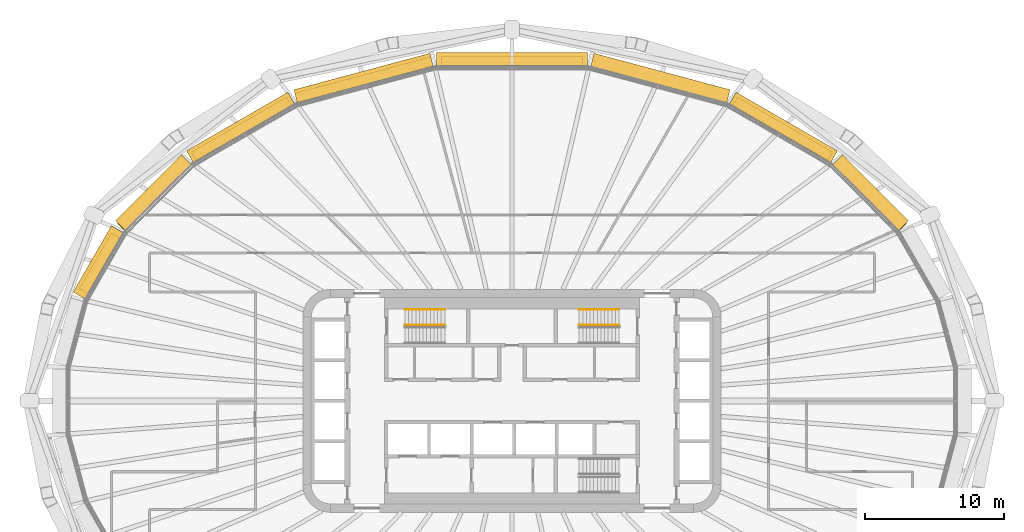
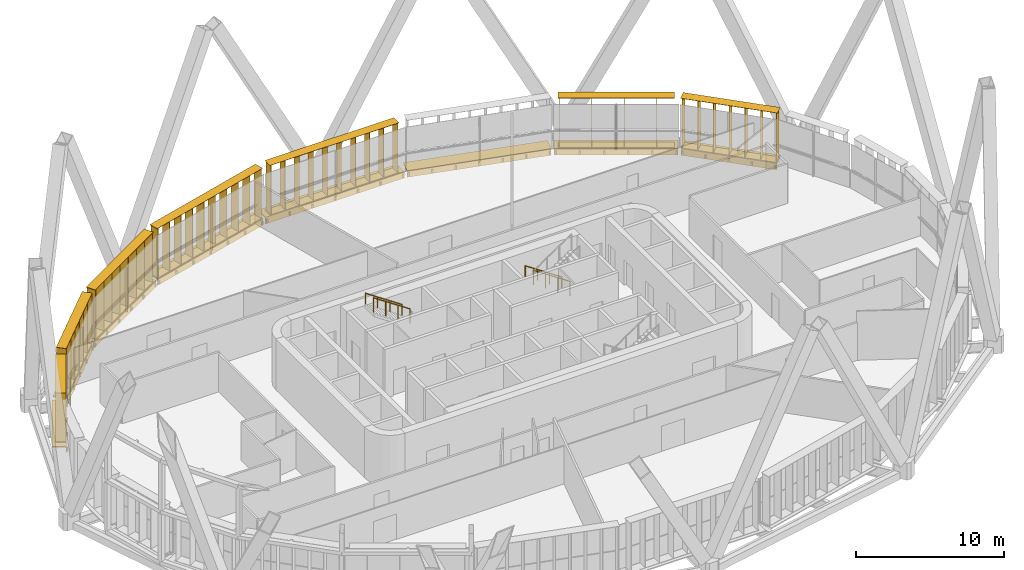
# One storey, part 24 of 25: 15 shading devices, 4 railings.
"""IFC4 building model written with IfcOpenShell, lengths in metres."""

from ifc_helpers import new_model, si_unit, direction, frame, origin, origin_2d, place, context, subcontext, project, spatial, rectangle, circle, extrude, material, type_object, element, save


model = new_model("IFC4")

# Units and contexts
model_context = context("Model", 3, precision=1e-05, world=origin(), true_north=direction((0.0, 1.0)))
body_context = subcontext(model_context, "Body", "Model", "MODEL_VIEW")
ifc_project = project(units=[si_unit("LENGTHUNIT", "METRE"), si_unit("AREAUNIT", "SQUARE_METRE"), si_unit("VOLUMEUNIT", "CUBIC_METRE"), si_unit("PLANEANGLEUNIT", "RADIAN"), si_unit("MASSUNIT", "GRAM", prefix="KILO")], contexts=[model_context])

# Site, building, storey
site_placement = place(None, origin())
site = spatial("IfcSite", under=ifc_project, at=site_placement, CompositionType="ELEMENT")
building_placement = place(site_placement, origin())
building = spatial("IfcBuilding", under=site, at=building_placement, Name="Sahrelin Media Tower", CompositionType="ELEMENT")
storey_placement = place(building_placement, frame((0.0, 0.0, 114.60009765625)))
storey = spatial("IfcBuildingStorey", under=building, at=storey_placement, Name="L22", CompositionType="ELEMENT", Elevation=114.60009765625)

# Shading devices
ifc_material_1 = material(Name="Champagne anodised aluminium 6063-T6", Category="aluminium")
shading_device_type_1 = type_object("IfcShadingDeviceType", Name="Fin cassette", PredefinedType="USERDEFINED", material=ifc_material_1)
placement_1 = place(storey_placement, frame((25.34912109375, 14.556884765625, 0.0), z_axis=(0.0, 0.0, 1.0), x_axis=(0.707106781187, -0.707106781187, 0.0)))
element("IfcShadingDevice", 1, at=placement_1, inside=storey, type_object=shading_device_type_1, Name="L22:FIN:L22-03", ObjectType="FIN", PredefinedType="USERDEFINED", context=body_context, shape_type="SweptSolid", body=[
    extrude(rectangle(XDim=6.800048828125, YDim=0.699951171875, at=origin_2d()), frame((0.0, 0.419921875, 0.0)), (0.0, 0.0, 1.0), 0.02001953125),
    extrude(rectangle(XDim=6.800048828125, YDim=0.699951171875, at=origin_2d()), frame((0.0, 0.419921875, 4.10009765625)), (0.0, 0.0, 1.0), 0.02001953125),
    extrude(rectangle(XDim=0.02001953125, YDim=0.699951171875, at=origin_2d()), frame((-3.300048828125, 0.419921875, 0.010009765625), z_axis=(0.0, 0.0, 1.0), x_axis=(1.0, 0.0, 0.0)), (0.0, 0.0, 1.0), 4.10009765625),
    extrude(rectangle(XDim=0.02001953125, YDim=0.699951171875, at=origin_2d()), frame((-2.199951171875, 0.419921875, 0.010009765625), z_axis=(0.0, 0.0, 1.0), x_axis=(1.0, 0.0, 0.0)), (0.0, 0.0, 1.0), 4.10009765625),
    extrude(rectangle(XDim=0.02001953125, YDim=0.699951171875, at=origin_2d()), frame((-1.10009765625, 0.419921875, 0.010009765625), z_axis=(0.0, 0.0, 1.0), x_axis=(1.0, 0.0, 0.0)), (0.0, 0.0, 1.0), 4.10009765625),
    extrude(rectangle(XDim=0.02001953125, YDim=0.699951171875, at=origin_2d()), frame((0.0, 0.419921875, 0.010009765625), z_axis=(0.0, 0.0, 1.0), x_axis=(1.0, 0.0, 0.0)), (0.0, 0.0, 1.0), 4.10009765625),
    extrude(rectangle(XDim=0.02001953125, YDim=0.699951171875, at=origin_2d()), frame((1.10009765625, 0.419921875, 0.010009765625), z_axis=(0.0, 0.0, 1.0), x_axis=(1.0, 0.0, 0.0)), (0.0, 0.0, 1.0), 4.10009765625),
    extrude(rectangle(XDim=0.02001953125, YDim=0.699951171875, at=origin_2d()), frame((2.199951171875, 0.419921875, 0.010009765625), z_axis=(0.0, 0.0, 1.0), x_axis=(1.0, 0.0, 0.0)), (0.0, 0.0, 1.0), 4.10009765625),
    extrude(rectangle(XDim=0.02001953125, YDim=0.699951171875, at=origin_2d()), frame((3.300048828125, 0.419921875, 0.010009765625), z_axis=(0.0, 0.0, 1.0), x_axis=(1.0, 0.0, 0.0)), (0.0, 0.0, 1.0), 4.10009765625),
])
placement_2 = place(storey_placement, frame((19.190673828125, 19.142578125, 0.0), z_axis=(0.0, 0.0, 1.0), x_axis=(0.866019052629, -0.500011000363, 0.0)))
element("IfcShadingDevice", 2, at=placement_2, inside=storey, type_object=shading_device_type_1, Name="L22:FIN:L22-04", ObjectType="FIN", PredefinedType="USERDEFINED", context=body_context, shape_type="SweptSolid", body=[
    extrude(rectangle(XDim=7.89990234375, YDim=0.699951171875, at=origin_2d()), frame((0.0, 0.419921875, 0.0)), (0.0, 0.0, 1.0), 0.02001953125),
    extrude(rectangle(XDim=7.89990234375, YDim=0.699951171875, at=origin_2d()), frame((0.0, 0.419921875, 4.10009765625)), (0.0, 0.0, 1.0), 0.02001953125),
    extrude(rectangle(XDim=0.02001953125, YDim=0.699951171875, at=origin_2d()), frame((-3.85009765625, 0.419921875, 0.010009765625), z_axis=(0.0, 0.0, 1.0), x_axis=(1.0, 0.0, 0.0)), (0.0, 0.0, 1.0), 4.10009765625),
    extrude(rectangle(XDim=0.02001953125, YDim=0.699951171875, at=origin_2d()), frame((-2.75, 0.419921875, 0.010009765625), z_axis=(0.0, 0.0, 1.0), x_axis=(1.0, 0.0, 0.0)), (0.0, 0.0, 1.0), 4.10009765625),
    extrude(rectangle(XDim=0.02001953125, YDim=0.699951171875, at=origin_2d()), frame((-1.64990234375, 0.419921875, 0.010009765625), z_axis=(0.0, 0.0, 1.0), x_axis=(1.0, 0.0, 0.0)), (0.0, 0.0, 1.0), 4.10009765625),
    extrude(rectangle(XDim=0.02001953125, YDim=0.699951171875, at=origin_2d()), frame((-0.550048828125, 0.419921875, 0.010009765625), z_axis=(0.0, 0.0, 1.0), x_axis=(1.0, 0.0, 0.0)), (0.0, 0.0, 1.0), 4.10009765625),
    extrude(rectangle(XDim=0.02001953125, YDim=0.699951171875, at=origin_2d()), frame((0.550048828125, 0.419921875, 0.010009765625), z_axis=(0.0, 0.0, 1.0), x_axis=(1.0, 0.0, 0.0)), (0.0, 0.0, 1.0), 4.10009765625),
    extrude(rectangle(XDim=0.02001953125, YDim=0.699951171875, at=origin_2d()), frame((1.64990234375, 0.419921875, 0.010009765625), z_axis=(0.0, 0.0, 1.0), x_axis=(1.0, 0.0, 0.0)), (0.0, 0.0, 1.0), 4.10009765625),
    extrude(rectangle(XDim=0.02001953125, YDim=0.699951171875, at=origin_2d()), frame((2.75, 0.419921875, 0.010009765625), z_axis=(0.0, 0.0, 1.0), x_axis=(1.0, 0.0, 0.0)), (0.0, 0.0, 1.0), 4.10009765625),
    extrude(rectangle(XDim=0.02001953125, YDim=0.699951171875, at=origin_2d()), frame((3.85009765625, 0.419921875, 0.010009765625), z_axis=(0.0, 0.0, 1.0), x_axis=(1.0, 0.0, 0.0)), (0.0, 0.0, 1.0), 4.10009765625),
])
placement_3 = place(storey_placement, frame((0.0, 23.955078125, 0.0), z_axis=(0.0, 0.0, 1.0), x_axis=(1.0, 0.0, 0.0)))
element("IfcShadingDevice", 3, at=placement_3, inside=storey, type_object=shading_device_type_1, Name="L22:FIN:L22-06", ObjectType="FIN", PredefinedType="USERDEFINED", context=body_context, shape_type="SweptSolid", body=[
    extrude(rectangle(XDim=10.10009765625, YDim=0.699951171875, at=origin_2d()), frame((0.0, 0.419921875, 0.0)), (0.0, 0.0, 1.0), 0.02001953125),
    extrude(rectangle(XDim=10.10009765625, YDim=0.699951171875, at=origin_2d()), frame((0.0, 0.419921875, 4.10009765625)), (0.0, 0.0, 1.0), 0.02001953125),
    extrude(rectangle(XDim=0.02001953125, YDim=0.699951171875, at=origin_2d()), frame((-4.949951171875, 0.419921875, 0.010009765625), z_axis=(0.0, 0.0, 1.0), x_axis=(1.0, 0.0, 0.0)), (0.0, 0.0, 1.0), 4.10009765625),
    extrude(rectangle(XDim=0.02001953125, YDim=0.699951171875, at=origin_2d()), frame((-3.85009765625, 0.419921875, 0.010009765625), z_axis=(0.0, 0.0, 1.0), x_axis=(1.0, 0.0, 0.0)), (0.0, 0.0, 1.0), 4.10009765625),
    extrude(rectangle(XDim=0.02001953125, YDim=0.699951171875, at=origin_2d()), frame((-2.75, 0.419921875, 0.010009765625), z_axis=(0.0, 0.0, 1.0), x_axis=(1.0, 0.0, 0.0)), (0.0, 0.0, 1.0), 4.10009765625),
    extrude(rectangle(XDim=0.02001953125, YDim=0.699951171875, at=origin_2d()), frame((-1.64990234375, 0.419921875, 0.010009765625), z_axis=(0.0, 0.0, 1.0), x_axis=(1.0, 0.0, 0.0)), (0.0, 0.0, 1.0), 4.10009765625),
    extrude(rectangle(XDim=0.02001953125, YDim=0.699951171875, at=origin_2d()), frame((-0.550048828125, 0.419921875, 0.010009765625), z_axis=(0.0, 0.0, 1.0), x_axis=(1.0, 0.0, 0.0)), (0.0, 0.0, 1.0), 4.10009765625),
    extrude(rectangle(XDim=0.02001953125, YDim=0.699951171875, at=origin_2d()), frame((0.550048828125, 0.419921875, 0.010009765625), z_axis=(0.0, 0.0, 1.0), x_axis=(1.0, 0.0, 0.0)), (0.0, 0.0, 1.0), 4.10009765625),
    extrude(rectangle(XDim=0.02001953125, YDim=0.699951171875, at=origin_2d()), frame((1.64990234375, 0.419921875, 0.010009765625), z_axis=(0.0, 0.0, 1.0), x_axis=(1.0, 0.0, 0.0)), (0.0, 0.0, 1.0), 4.10009765625),
    extrude(rectangle(XDim=0.02001953125, YDim=0.699951171875, at=origin_2d()), frame((2.75, 0.419921875, 0.010009765625), z_axis=(0.0, 0.0, 1.0), x_axis=(1.0, 0.0, 0.0)), (0.0, 0.0, 1.0), 4.10009765625),
    extrude(rectangle(XDim=0.02001953125, YDim=0.699951171875, at=origin_2d()), frame((3.85009765625, 0.419921875, 0.010009765625), z_axis=(0.0, 0.0, 1.0), x_axis=(1.0, 0.0, 0.0)), (0.0, 0.0, 1.0), 4.10009765625),
    extrude(rectangle(XDim=0.02001953125, YDim=0.699951171875, at=origin_2d()), frame((4.949951171875, 0.419921875, 0.010009765625), z_axis=(0.0, 0.0, 1.0), x_axis=(1.0, 0.0, 0.0)), (0.0, 0.0, 1.0), 4.10009765625),
])
placement_4 = place(storey_placement, frame((-10.498046875, 22.622802734375, 0.0), z_axis=(0.0, 0.0, 1.0), x_axis=(0.965928857556, 0.258807731996, 0.0)))
element("IfcShadingDevice", 4, at=placement_4, inside=storey, type_object=shading_device_type_1, Name="L22:FIN:L22-07", ObjectType="FIN", PredefinedType="USERDEFINED", context=body_context, shape_type="SweptSolid", body=[
    extrude(rectangle(XDim=10.10009765625, YDim=0.699951171875, at=origin_2d()), frame((0.0, 0.419921875, 0.0)), (0.0, 0.0, 1.0), 0.02001953125),
    extrude(rectangle(XDim=10.10009765625, YDim=0.699951171875, at=origin_2d()), frame((0.0, 0.419921875, 4.10009765625)), (0.0, 0.0, 1.0), 0.02001953125),
    extrude(rectangle(XDim=0.02001953125, YDim=0.699951171875, at=origin_2d()), frame((-4.949951171875, 0.419921875, 0.010009765625), z_axis=(0.0, 0.0, 1.0), x_axis=(1.0, 0.0, 0.0)), (0.0, 0.0, 1.0), 4.10009765625),
    extrude(rectangle(XDim=0.02001953125, YDim=0.699951171875, at=origin_2d()), frame((-3.85009765625, 0.419921875, 0.010009765625), z_axis=(0.0, 0.0, 1.0), x_axis=(1.0, 0.0, 0.0)), (0.0, 0.0, 1.0), 4.10009765625),
    extrude(rectangle(XDim=0.02001953125, YDim=0.699951171875, at=origin_2d()), frame((-2.75, 0.419921875, 0.010009765625), z_axis=(0.0, 0.0, 1.0), x_axis=(1.0, 0.0, 0.0)), (0.0, 0.0, 1.0), 4.10009765625),
    extrude(rectangle(XDim=0.02001953125, YDim=0.699951171875, at=origin_2d()), frame((-1.64990234375, 0.419921875, 0.010009765625), z_axis=(0.0, 0.0, 1.0), x_axis=(1.0, 0.0, 0.0)), (0.0, 0.0, 1.0), 4.10009765625),
    extrude(rectangle(XDim=0.02001953125, YDim=0.699951171875, at=origin_2d()), frame((-0.550048828125, 0.419921875, 0.010009765625), z_axis=(0.0, 0.0, 1.0), x_axis=(1.0, 0.0, 0.0)), (0.0, 0.0, 1.0), 4.10009765625),
    extrude(rectangle(XDim=0.02001953125, YDim=0.699951171875, at=origin_2d()), frame((0.550048828125, 0.419921875, 0.010009765625), z_axis=(0.0, 0.0, 1.0), x_axis=(1.0, 0.0, 0.0)), (0.0, 0.0, 1.0), 4.10009765625),
    extrude(rectangle(XDim=0.02001953125, YDim=0.699951171875, at=origin_2d()), frame((1.64990234375, 0.419921875, 0.010009765625), z_axis=(0.0, 0.0, 1.0), x_axis=(1.0, 0.0, 0.0)), (0.0, 0.0, 1.0), 4.10009765625),
    extrude(rectangle(XDim=0.02001953125, YDim=0.699951171875, at=origin_2d()), frame((2.75, 0.419921875, 0.010009765625), z_axis=(0.0, 0.0, 1.0), x_axis=(1.0, 0.0, 0.0)), (0.0, 0.0, 1.0), 4.10009765625),
    extrude(rectangle(XDim=0.02001953125, YDim=0.699951171875, at=origin_2d()), frame((3.85009765625, 0.419921875, 0.010009765625), z_axis=(0.0, 0.0, 1.0), x_axis=(1.0, 0.0, 0.0)), (0.0, 0.0, 1.0), 4.10009765625),
    extrude(rectangle(XDim=0.02001953125, YDim=0.699951171875, at=origin_2d()), frame((4.949951171875, 0.419921875, 0.010009765625), z_axis=(0.0, 0.0, 1.0), x_axis=(1.0, 0.0, 0.0)), (0.0, 0.0, 1.0), 4.10009765625),
])
placement_5 = place(storey_placement, frame((-19.190673828125, 19.142578125, 0.0), z_axis=(0.0, 0.0, 1.0), x_axis=(0.866019052629, 0.500011000363, 0.0)))
element("IfcShadingDevice", 5, at=placement_5, inside=storey, type_object=shading_device_type_1, Name="L22:FIN:L22-08", ObjectType="FIN", PredefinedType="USERDEFINED", context=body_context, shape_type="SweptSolid", body=[
    extrude(rectangle(XDim=7.89990234375, YDim=0.699951171875, at=origin_2d()), frame((0.0, 0.419921875, 0.0)), (0.0, 0.0, 1.0), 0.02001953125),
    extrude(rectangle(XDim=7.89990234375, YDim=0.699951171875, at=origin_2d()), frame((0.0, 0.419921875, 4.10009765625)), (0.0, 0.0, 1.0), 0.02001953125),
    extrude(rectangle(XDim=0.02001953125, YDim=0.699951171875, at=origin_2d()), frame((-3.85009765625, 0.419921875, 0.010009765625), z_axis=(0.0, 0.0, 1.0), x_axis=(1.0, 0.0, 0.0)), (0.0, 0.0, 1.0), 4.10009765625),
    extrude(rectangle(XDim=0.02001953125, YDim=0.699951171875, at=origin_2d()), frame((-2.75, 0.419921875, 0.010009765625), z_axis=(0.0, 0.0, 1.0), x_axis=(1.0, 0.0, 0.0)), (0.0, 0.0, 1.0), 4.10009765625),
    extrude(rectangle(XDim=0.02001953125, YDim=0.699951171875, at=origin_2d()), frame((-1.64990234375, 0.419921875, 0.010009765625), z_axis=(0.0, 0.0, 1.0), x_axis=(1.0, 0.0, 0.0)), (0.0, 0.0, 1.0), 4.10009765625),
    extrude(rectangle(XDim=0.02001953125, YDim=0.699951171875, at=origin_2d()), frame((-0.550048828125, 0.419921875, 0.010009765625), z_axis=(0.0, 0.0, 1.0), x_axis=(1.0, 0.0, 0.0)), (0.0, 0.0, 1.0), 4.10009765625),
    extrude(rectangle(XDim=0.02001953125, YDim=0.699951171875, at=origin_2d()), frame((0.550048828125, 0.419921875, 0.010009765625), z_axis=(0.0, 0.0, 1.0), x_axis=(1.0, 0.0, 0.0)), (0.0, 0.0, 1.0), 4.10009765625),
    extrude(rectangle(XDim=0.02001953125, YDim=0.699951171875, at=origin_2d()), frame((1.64990234375, 0.419921875, 0.010009765625), z_axis=(0.0, 0.0, 1.0), x_axis=(1.0, 0.0, 0.0)), (0.0, 0.0, 1.0), 4.10009765625),
    extrude(rectangle(XDim=0.02001953125, YDim=0.699951171875, at=origin_2d()), frame((2.75, 0.419921875, 0.010009765625), z_axis=(0.0, 0.0, 1.0), x_axis=(1.0, 0.0, 0.0)), (0.0, 0.0, 1.0), 4.10009765625),
    extrude(rectangle(XDim=0.02001953125, YDim=0.699951171875, at=origin_2d()), frame((3.85009765625, 0.419921875, 0.010009765625), z_axis=(0.0, 0.0, 1.0), x_axis=(1.0, 0.0, 0.0)), (0.0, 0.0, 1.0), 4.10009765625),
])
placement_6 = place(storey_placement, frame((-25.348876953125, 14.556884765625, 0.0), z_axis=(0.0, 0.0, 1.0), x_axis=(0.707106781187, 0.707106781187, 0.0)))
element("IfcShadingDevice", 6, at=placement_6, inside=storey, type_object=shading_device_type_1, Name="L22:FIN:L22-09", ObjectType="FIN", PredefinedType="USERDEFINED", context=body_context, shape_type="SweptSolid", body=[
    extrude(rectangle(XDim=6.800048828125, YDim=0.699951171875, at=origin_2d()), frame((0.0, 0.419921875, 0.0)), (0.0, 0.0, 1.0), 0.02001953125),
    extrude(rectangle(XDim=6.800048828125, YDim=0.699951171875, at=origin_2d()), frame((0.0, 0.419921875, 4.10009765625)), (0.0, 0.0, 1.0), 0.02001953125),
    extrude(rectangle(XDim=0.02001953125, YDim=0.699951171875, at=origin_2d()), frame((-3.300048828125, 0.419921875, 0.010009765625), z_axis=(0.0, 0.0, 1.0), x_axis=(1.0, 0.0, 0.0)), (0.0, 0.0, 1.0), 4.10009765625),
    extrude(rectangle(XDim=0.02001953125, YDim=0.699951171875, at=origin_2d()), frame((-2.199951171875, 0.419921875, 0.010009765625), z_axis=(0.0, 0.0, 1.0), x_axis=(1.0, 0.0, 0.0)), (0.0, 0.0, 1.0), 4.10009765625),
    extrude(rectangle(XDim=0.02001953125, YDim=0.699951171875, at=origin_2d()), frame((-1.10009765625, 0.419921875, 0.010009765625), z_axis=(0.0, 0.0, 1.0), x_axis=(1.0, 0.0, 0.0)), (0.0, 0.0, 1.0), 4.10009765625),
    extrude(rectangle(XDim=0.02001953125, YDim=0.699951171875, at=origin_2d()), frame((0.0, 0.419921875, 0.010009765625), z_axis=(0.0, 0.0, 1.0), x_axis=(1.0, 0.0, 0.0)), (0.0, 0.0, 1.0), 4.10009765625),
    extrude(rectangle(XDim=0.02001953125, YDim=0.699951171875, at=origin_2d()), frame((1.10009765625, 0.419921875, 0.010009765625), z_axis=(0.0, 0.0, 1.0), x_axis=(1.0, 0.0, 0.0)), (0.0, 0.0, 1.0), 4.10009765625),
    extrude(rectangle(XDim=0.02001953125, YDim=0.699951171875, at=origin_2d()), frame((2.199951171875, 0.419921875, 0.010009765625), z_axis=(0.0, 0.0, 1.0), x_axis=(1.0, 0.0, 0.0)), (0.0, 0.0, 1.0), 4.10009765625),
    extrude(rectangle(XDim=0.02001953125, YDim=0.699951171875, at=origin_2d()), frame((3.300048828125, 0.419921875, 0.010009765625), z_axis=(0.0, 0.0, 1.0), x_axis=(1.0, 0.0, 0.0)), (0.0, 0.0, 1.0), 4.10009765625),
])
placement_7 = place(storey_placement, frame((-29.205810546875, 9.661376953125, 0.0), z_axis=(0.0, 0.0, 1.0), x_axis=(0.500011000363, 0.866019052629, 0.0)))
element("IfcShadingDevice", 7, at=placement_7, inside=storey, type_object=shading_device_type_1, Name="L22:FIN:L22-10", ObjectType="FIN", PredefinedType="USERDEFINED", context=body_context, shape_type="SweptSolid", body=[
    extrude(rectangle(XDim=4.60009765625, YDim=0.699951171875, at=origin_2d()), frame((0.0, 0.419921875, 0.0)), (0.0, 0.0, 1.0), 0.02001953125),
    extrude(rectangle(XDim=4.60009765625, YDim=0.699951171875, at=origin_2d()), frame((0.0, 0.419921875, 4.10009765625)), (0.0, 0.0, 1.0), 0.02001953125),
    extrude(rectangle(XDim=0.02001953125, YDim=0.699951171875, at=origin_2d()), frame((-2.199951171875, 0.419921875, 0.010009765625), z_axis=(0.0, 0.0, 1.0), x_axis=(1.0, 0.0, 0.0)), (0.0, 0.0, 1.0), 4.10009765625),
    extrude(rectangle(XDim=0.02001953125, YDim=0.699951171875, at=origin_2d()), frame((-1.10009765625, 0.419921875, 0.010009765625), z_axis=(0.0, 0.0, 1.0), x_axis=(1.0, 0.0, 0.0)), (0.0, 0.0, 1.0), 4.10009765625),
    extrude(rectangle(XDim=0.02001953125, YDim=0.699951171875, at=origin_2d()), frame((0.0, 0.419921875, 0.010009765625), z_axis=(0.0, 0.0, 1.0), x_axis=(1.0, 0.0, 0.0)), (0.0, 0.0, 1.0), 4.10009765625),
    extrude(rectangle(XDim=0.02001953125, YDim=0.699951171875, at=origin_2d()), frame((1.10009765625, 0.419921875, 0.010009765625), z_axis=(0.0, 0.0, 1.0), x_axis=(1.0, 0.0, 0.0)), (0.0, 0.0, 1.0), 4.10009765625),
    extrude(rectangle(XDim=0.02001953125, YDim=0.699951171875, at=origin_2d()), frame((2.199951171875, 0.419921875, 0.010009765625), z_axis=(0.0, 0.0, 1.0), x_axis=(1.0, 0.0, 0.0)), (0.0, 0.0, 1.0), 4.10009765625),
])

# Railings
ifc_material_2 = material(Name="Steel S355", Category="steel")
railing_type_1 = type_object("IfcRailingType", Name="Stair guard 1200", PredefinedType="GUARDRAIL", material=ifc_material_2)
for number, where, name in (
    (8, (-4.81494140625, 5.449951171875, 2.27490234375), "L22 ST1 stair guard 3"),
    (9, (7.675048828125, 5.449951171875, 0.1748046875), "L22 ST3 stair guard 1"),
):
    element("IfcRailing", number, at=place(storey_placement, frame(where)), inside=storey, type_object=railing_type_1, Name=name, PredefinedType="GUARDRAIL", context=body_context, shape_type="SweptSolid", body=[
        extrude(circle(Radius=0.02392578125, at=origin_2d()), frame((0.0, 0.0, 1.17578125), z_axis=(-0.829590901723, 0.0, 0.558371682465), x_axis=(0.0, -1.0, 0.0)), (0.0, 0.0, 1.0), 3.447509765625),
        extrude(circle(Radius=0.02099609375, at=origin_2d()), origin(), (0.0, 0.0, 1.0), 1.15185546875),
        extrude(circle(Radius=0.02099609375, at=origin_2d()), frame((-0.953369140625, 0.0, 0.6416015625)), (0.0, 0.0, 1.0), 1.15185546875),
        extrude(circle(Radius=0.02099609375, at=origin_2d()), frame((-1.90673828125, 0.0, 1.283447265625)), (0.0, 0.0, 1.0), 1.15185546875),
        extrude(circle(Radius=0.02099609375, at=origin_2d()), frame((-2.860107421875, 0.0, 1.925048828125)), (0.0, 0.0, 1.0), 1.15185546875),
    ])
railing_type_2 = type_object("IfcRailingType", Name="Stair handrail 900", PredefinedType="HANDRAIL", material=ifc_material_2)
for number, where, name in (
    (10, (-4.81494140625, 6.550048828125, 2.27490234375), "L22 ST1 stair handrail 2"),
    (11, (7.675048828125, 6.550048828125, 0.1748046875), "L22 ST3 stair handrail 1"),
):
    element("IfcRailing", number, at=place(storey_placement, frame(where)), inside=storey, type_object=railing_type_2, Name=name, PredefinedType="HANDRAIL", context=body_context, shape_type="SweptSolid", body=[
        extrude(circle(Radius=0.02392578125, at=origin_2d()), frame((0.0, 0.0, 0.8759765625), z_axis=(-0.829590901723, 0.0, 0.558371682465), x_axis=(0.0, -1.0, 0.0)), (0.0, 0.0, 1.0), 3.447509765625),
        extrude(circle(Radius=0.02099609375, at=origin_2d()), origin(), (0.0, 0.0, 1.0), 0.851806640625),
        extrude(circle(Radius=0.02099609375, at=origin_2d()), frame((-0.953369140625, 0.0, 0.6416015625)), (0.0, 0.0, 1.0), 0.851806640625),
        extrude(circle(Radius=0.02099609375, at=origin_2d()), frame((-1.90673828125, 0.0, 1.283447265625)), (0.0, 0.0, 1.0), 0.851806640625),
        extrude(circle(Radius=0.02099609375, at=origin_2d()), frame((-2.860107421875, 0.0, 1.925048828125)), (0.0, 0.0, 1.0), 0.851806640625),
    ])

# Shading devices
shading_device_type_2 = type_object("IfcShadingDeviceType", Name="Sunshade band", PredefinedType="USERDEFINED", material=ifc_material_1)
element("IfcShadingDevice", 12, at=placement_1, inside=storey, type_object=shading_device_type_2, Name="L22:SUN:L22-03", ObjectType="SUNSHADE", PredefinedType="USERDEFINED", context=body_context, shape_type="SweptSolid", body=[
    extrude(rectangle(XDim=6.695068359375, YDim=0.050048828125, at=origin_2d()), frame((0.0, 0.044921875, -0.55126953125)), (0.0, 0.0, 1.0), 0.471435546875),
    extrude(rectangle(XDim=6.695068359375, YDim=1.0, at=origin_2d()), frame((0.0, 0.52001953125, -0.080078125)), (0.0, 0.0, 1.0), 0.080078125),
    extrude(rectangle(XDim=0.10009765625, YDim=0.074951171875, at=origin_2d()), frame((-3.24755859375, -0.017578125, -0.47021484375)), (0.0, 0.0, 1.0), 0.300048828125),
    extrude(rectangle(XDim=0.10009765625, YDim=0.074951171875, at=origin_2d()), frame((-1.623779296875, -0.017578125, -0.47021484375)), (0.0, 0.0, 1.0), 0.300048828125),
    extrude(rectangle(XDim=0.10009765625, YDim=0.074951171875, at=origin_2d()), frame((0.0, -0.017578125, -0.47021484375)), (0.0, 0.0, 1.0), 0.300048828125),
    extrude(rectangle(XDim=0.10009765625, YDim=0.074951171875, at=origin_2d()), frame((1.623779296875, -0.017578125, -0.47021484375)), (0.0, 0.0, 1.0), 0.300048828125),
    extrude(rectangle(XDim=0.10009765625, YDim=0.074951171875, at=origin_2d()), frame((3.24755859375, -0.017578125, -0.47021484375)), (0.0, 0.0, 1.0), 0.300048828125),
])
element("IfcShadingDevice", 13, at=placement_2, inside=storey, type_object=shading_device_type_2, Name="L22:SUN:L22-04", ObjectType="SUNSHADE", PredefinedType="USERDEFINED", context=body_context, shape_type="SweptSolid", body=[
    extrude(rectangle(XDim=8.39208984375, YDim=0.050048828125, at=origin_2d()), frame((0.0, 0.044921875, -0.55126953125)), (0.0, 0.0, 1.0), 0.471435546875),
    extrude(rectangle(XDim=8.39208984375, YDim=1.0, at=origin_2d()), frame((0.0, 0.52001953125, -0.080078125)), (0.0, 0.0, 1.0), 0.080078125),
    extrude(rectangle(XDim=0.10009765625, YDim=0.074951171875, at=origin_2d()), frame((-4.09619140625, -0.017578125, -0.47021484375)), (0.0, 0.0, 1.0), 0.300048828125),
    extrude(rectangle(XDim=0.10009765625, YDim=0.074951171875, at=origin_2d()), frame((-2.457763671875, -0.017578125, -0.47021484375)), (0.0, 0.0, 1.0), 0.300048828125),
    extrude(rectangle(XDim=0.10009765625, YDim=0.074951171875, at=origin_2d()), frame((-0.819091796875, -0.017578125, -0.47021484375)), (0.0, 0.0, 1.0), 0.300048828125),
    extrude(rectangle(XDim=0.10009765625, YDim=0.074951171875, at=origin_2d()), frame((0.819091796875, -0.017578125, -0.47021484375)), (0.0, 0.0, 1.0), 0.300048828125),
    extrude(rectangle(XDim=0.10009765625, YDim=0.074951171875, at=origin_2d()), frame((2.457763671875, -0.017578125, -0.47021484375)), (0.0, 0.0, 1.0), 0.300048828125),
    extrude(rectangle(XDim=0.10009765625, YDim=0.074951171875, at=origin_2d()), frame((4.09619140625, -0.017578125, -0.47021484375)), (0.0, 0.0, 1.0), 0.300048828125),
])
shading_device_10_placement = place(storey_placement, frame((10.498046875, 22.623046875, 0.0), z_axis=(0.0, 0.0, 1.0), x_axis=(0.965928857556, -0.258807731996, 0.0)))
element("IfcShadingDevice", 14, at=shading_device_10_placement, inside=storey, type_object=shading_device_type_2, Name="L22:SUN:L22-05", ObjectType="SUNSHADE", PredefinedType="USERDEFINED", context=body_context, shape_type="SweptSolid", body=[
    extrude(rectangle(XDim=10.0947265625, YDim=0.050048828125, at=origin_2d()), frame((0.0, 0.044921875, -0.55126953125)), (0.0, 0.0, 1.0), 0.471435546875),
    extrude(rectangle(XDim=10.0947265625, YDim=1.0, at=origin_2d()), frame((0.0, 0.52001953125, -0.080078125)), (0.0, 0.0, 1.0), 0.080078125),
    extrude(rectangle(XDim=0.10009765625, YDim=0.074951171875, at=origin_2d()), frame((-4.947509765625, -0.017578125, -0.47021484375)), (0.0, 0.0, 1.0), 0.300048828125),
    extrude(rectangle(XDim=0.10009765625, YDim=0.074951171875, at=origin_2d()), frame((-3.29833984375, -0.017578125, -0.47021484375)), (0.0, 0.0, 1.0), 0.300048828125),
    extrude(rectangle(XDim=0.10009765625, YDim=0.074951171875, at=origin_2d()), frame((-1.649169921875, -0.017578125, -0.47021484375)), (0.0, 0.0, 1.0), 0.300048828125),
    extrude(rectangle(XDim=0.10009765625, YDim=0.074951171875, at=origin_2d()), frame((0.0, -0.017578125, -0.47021484375)), (0.0, 0.0, 1.0), 0.300048828125),
    extrude(rectangle(XDim=0.10009765625, YDim=0.074951171875, at=origin_2d()), frame((1.649169921875, -0.017578125, -0.47021484375)), (0.0, 0.0, 1.0), 0.300048828125),
    extrude(rectangle(XDim=0.10009765625, YDim=0.074951171875, at=origin_2d()), frame((3.29833984375, -0.017578125, -0.47021484375)), (0.0, 0.0, 1.0), 0.300048828125),
    extrude(rectangle(XDim=0.10009765625, YDim=0.074951171875, at=origin_2d()), frame((4.947509765625, -0.017578125, -0.47021484375)), (0.0, 0.0, 1.0), 0.300048828125),
])
element("IfcShadingDevice", 15, at=placement_3, inside=storey, type_object=shading_device_type_2, Name="L22:SUN:L22-06", ObjectType="SUNSHADE", PredefinedType="USERDEFINED", context=body_context, shape_type="SweptSolid", body=[
    extrude(rectangle(XDim=10.852294921875, YDim=0.050048828125, at=origin_2d()), frame((0.0, 0.044921875, -0.55126953125)), (0.0, 0.0, 1.0), 0.471435546875),
    extrude(rectangle(XDim=10.852294921875, YDim=1.0, at=origin_2d()), frame((0.0, 0.52001953125, -0.080078125)), (0.0, 0.0, 1.0), 0.080078125),
    extrude(rectangle(XDim=0.10009765625, YDim=0.074951171875, at=origin_2d()), frame((-5.326171875, -0.017578125, -0.47021484375)), (0.0, 0.0, 1.0), 0.300048828125),
    extrude(rectangle(XDim=0.10009765625, YDim=0.074951171875, at=origin_2d()), frame((-3.55078125, -0.017578125, -0.47021484375)), (0.0, 0.0, 1.0), 0.300048828125),
    extrude(rectangle(XDim=0.10009765625, YDim=0.074951171875, at=origin_2d()), frame((-1.775390625, -0.017578125, -0.47021484375)), (0.0, 0.0, 1.0), 0.300048828125),
    extrude(rectangle(XDim=0.10009765625, YDim=0.074951171875, at=origin_2d()), frame((0.0, -0.017578125, -0.47021484375)), (0.0, 0.0, 1.0), 0.300048828125),
    extrude(rectangle(XDim=0.10009765625, YDim=0.074951171875, at=origin_2d()), frame((1.775390625, -0.017578125, -0.47021484375)), (0.0, 0.0, 1.0), 0.300048828125),
    extrude(rectangle(XDim=0.10009765625, YDim=0.074951171875, at=origin_2d()), frame((3.55078125, -0.017578125, -0.47021484375)), (0.0, 0.0, 1.0), 0.300048828125),
    extrude(rectangle(XDim=0.10009765625, YDim=0.074951171875, at=origin_2d()), frame((5.326171875, -0.017578125, -0.47021484375)), (0.0, 0.0, 1.0), 0.300048828125),
])
element("IfcShadingDevice", 16, at=placement_4, inside=storey, type_object=shading_device_type_2, Name="L22:SUN:L22-07", ObjectType="SUNSHADE", PredefinedType="USERDEFINED", context=body_context, shape_type="SweptSolid", body=[
    extrude(rectangle(XDim=10.0947265625, YDim=0.050048828125, at=origin_2d()), frame((0.0, 0.044921875, -0.55126953125)), (0.0, 0.0, 1.0), 0.471435546875),
    extrude(rectangle(XDim=10.0947265625, YDim=1.0, at=origin_2d()), frame((0.0, 0.52001953125, -0.080078125)), (0.0, 0.0, 1.0), 0.080078125),
    extrude(rectangle(XDim=0.10009765625, YDim=0.074951171875, at=origin_2d()), frame((-4.947509765625, -0.017578125, -0.47021484375)), (0.0, 0.0, 1.0), 0.300048828125),
    extrude(rectangle(XDim=0.10009765625, YDim=0.074951171875, at=origin_2d()), frame((-3.29833984375, -0.017578125, -0.47021484375)), (0.0, 0.0, 1.0), 0.300048828125),
    extrude(rectangle(XDim=0.10009765625, YDim=0.074951171875, at=origin_2d()), frame((-1.649169921875, -0.017578125, -0.47021484375)), (0.0, 0.0, 1.0), 0.300048828125),
    extrude(rectangle(XDim=0.10009765625, YDim=0.074951171875, at=origin_2d()), frame((0.0, -0.017578125, -0.47021484375)), (0.0, 0.0, 1.0), 0.300048828125),
    extrude(rectangle(XDim=0.10009765625, YDim=0.074951171875, at=origin_2d()), frame((1.649169921875, -0.017578125, -0.47021484375)), (0.0, 0.0, 1.0), 0.300048828125),
    extrude(rectangle(XDim=0.10009765625, YDim=0.074951171875, at=origin_2d()), frame((3.29833984375, -0.017578125, -0.47021484375)), (0.0, 0.0, 1.0), 0.300048828125),
    extrude(rectangle(XDim=0.10009765625, YDim=0.074951171875, at=origin_2d()), frame((4.947509765625, -0.017578125, -0.47021484375)), (0.0, 0.0, 1.0), 0.300048828125),
])
element("IfcShadingDevice", 17, at=placement_5, inside=storey, type_object=shading_device_type_2, Name="L22:SUN:L22-08", ObjectType="SUNSHADE", PredefinedType="USERDEFINED", context=body_context, shape_type="SweptSolid", body=[
    extrude(rectangle(XDim=8.39208984375, YDim=0.050048828125, at=origin_2d()), frame((0.0, 0.044921875, -0.55126953125)), (0.0, 0.0, 1.0), 0.471435546875),
    extrude(rectangle(XDim=8.39208984375, YDim=1.0, at=origin_2d()), frame((0.0, 0.52001953125, -0.080078125)), (0.0, 0.0, 1.0), 0.080078125),
    extrude(rectangle(XDim=0.10009765625, YDim=0.074951171875, at=origin_2d()), frame((-4.09619140625, -0.017578125, -0.47021484375)), (0.0, 0.0, 1.0), 0.300048828125),
    extrude(rectangle(XDim=0.10009765625, YDim=0.074951171875, at=origin_2d()), frame((-2.457763671875, -0.017578125, -0.47021484375)), (0.0, 0.0, 1.0), 0.300048828125),
    extrude(rectangle(XDim=0.10009765625, YDim=0.074951171875, at=origin_2d()), frame((-0.819091796875, -0.017578125, -0.47021484375)), (0.0, 0.0, 1.0), 0.300048828125),
    extrude(rectangle(XDim=0.10009765625, YDim=0.074951171875, at=origin_2d()), frame((0.819091796875, -0.017578125, -0.47021484375)), (0.0, 0.0, 1.0), 0.300048828125),
    extrude(rectangle(XDim=0.10009765625, YDim=0.074951171875, at=origin_2d()), frame((2.457763671875, -0.017578125, -0.47021484375)), (0.0, 0.0, 1.0), 0.300048828125),
    extrude(rectangle(XDim=0.10009765625, YDim=0.074951171875, at=origin_2d()), frame((4.09619140625, -0.017578125, -0.47021484375)), (0.0, 0.0, 1.0), 0.300048828125),
])
element("IfcShadingDevice", 18, at=placement_6, inside=storey, type_object=shading_device_type_2, Name="L22:SUN:L22-09", ObjectType="SUNSHADE", PredefinedType="USERDEFINED", context=body_context, shape_type="SweptSolid", body=[
    extrude(rectangle(XDim=6.695068359375, YDim=0.050048828125, at=origin_2d()), frame((0.0, 0.044921875, -0.55126953125)), (0.0, 0.0, 1.0), 0.471435546875),
    extrude(rectangle(XDim=6.695068359375, YDim=1.0, at=origin_2d()), frame((0.0, 0.52001953125, -0.080078125)), (0.0, 0.0, 1.0), 0.080078125),
    extrude(rectangle(XDim=0.10009765625, YDim=0.074951171875, at=origin_2d()), frame((-3.24755859375, -0.017578125, -0.47021484375)), (0.0, 0.0, 1.0), 0.300048828125),
    extrude(rectangle(XDim=0.10009765625, YDim=0.074951171875, at=origin_2d()), frame((-1.623779296875, -0.017578125, -0.47021484375)), (0.0, 0.0, 1.0), 0.300048828125),
    extrude(rectangle(XDim=0.10009765625, YDim=0.074951171875, at=origin_2d()), frame((0.0, -0.017578125, -0.47021484375)), (0.0, 0.0, 1.0), 0.300048828125),
    extrude(rectangle(XDim=0.10009765625, YDim=0.074951171875, at=origin_2d()), frame((1.623779296875, -0.017578125, -0.47021484375)), (0.0, 0.0, 1.0), 0.300048828125),
    extrude(rectangle(XDim=0.10009765625, YDim=0.074951171875, at=origin_2d()), frame((3.24755859375, -0.017578125, -0.47021484375)), (0.0, 0.0, 1.0), 0.300048828125),
])
element("IfcShadingDevice", 19, at=placement_7, inside=storey, type_object=shading_device_type_2, Name="L22:SUN:L22-10", ObjectType="SUNSHADE", PredefinedType="USERDEFINED", context=body_context, shape_type="SweptSolid", body=[
    extrude(rectangle(XDim=5.475830078125, YDim=0.050048828125, at=origin_2d()), frame((0.0, 0.044921875, -0.55126953125)), (0.0, 0.0, 1.0), 0.471435546875),
    extrude(rectangle(XDim=5.475830078125, YDim=1.0, at=origin_2d()), frame((0.0, 0.52001953125, -0.080078125)), (0.0, 0.0, 1.0), 0.080078125),
    extrude(rectangle(XDim=0.10009765625, YDim=0.074951171875, at=origin_2d()), frame((-2.637939453125, -0.017578125, -0.47021484375)), (0.0, 0.0, 1.0), 0.300048828125),
    extrude(rectangle(XDim=0.10009765625, YDim=0.074951171875, at=origin_2d()), frame((-0.87939453125, -0.017578125, -0.47021484375)), (0.0, 0.0, 1.0), 0.300048828125),
    extrude(rectangle(XDim=0.10009765625, YDim=0.074951171875, at=origin_2d()), frame((0.87939453125, -0.017578125, -0.47021484375)), (0.0, 0.0, 1.0), 0.300048828125),
    extrude(rectangle(XDim=0.10009765625, YDim=0.074951171875, at=origin_2d()), frame((2.637939453125, -0.017578125, -0.47021484375)), (0.0, 0.0, 1.0), 0.300048828125),
])

save(model, "model.ifc")
